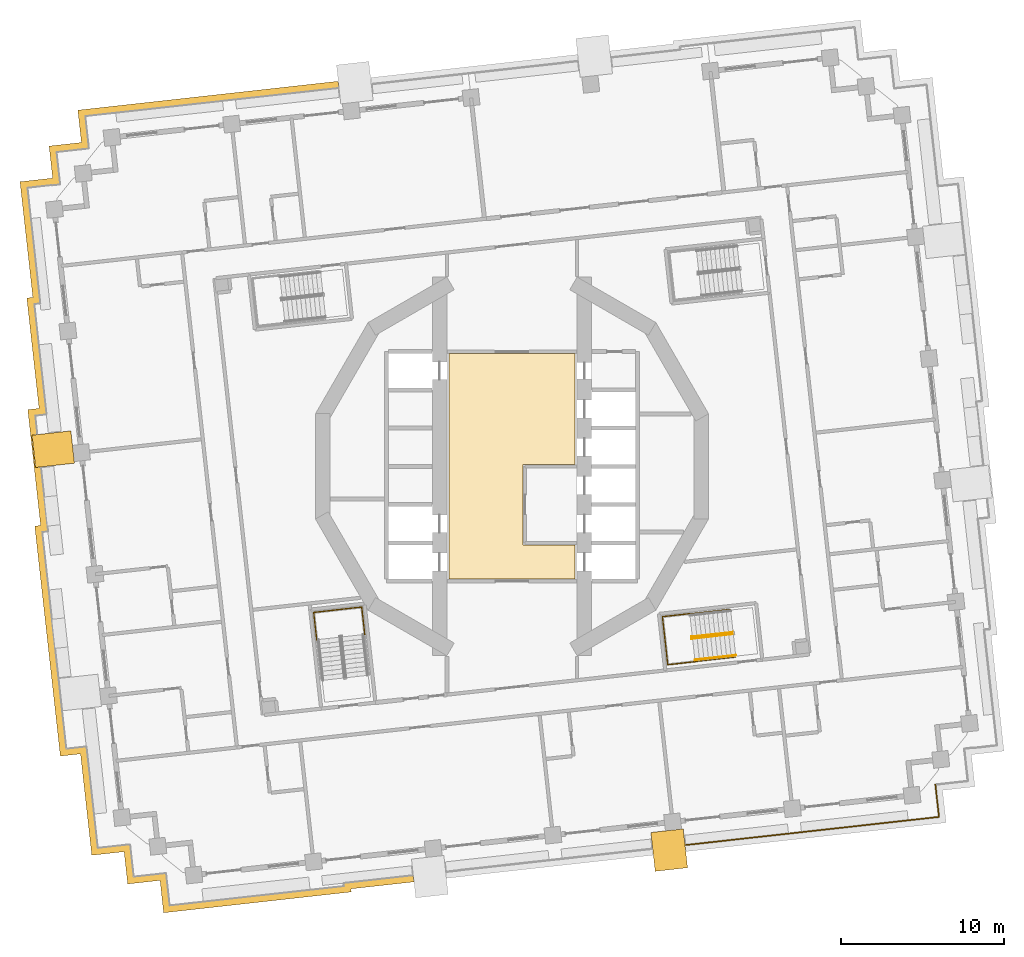
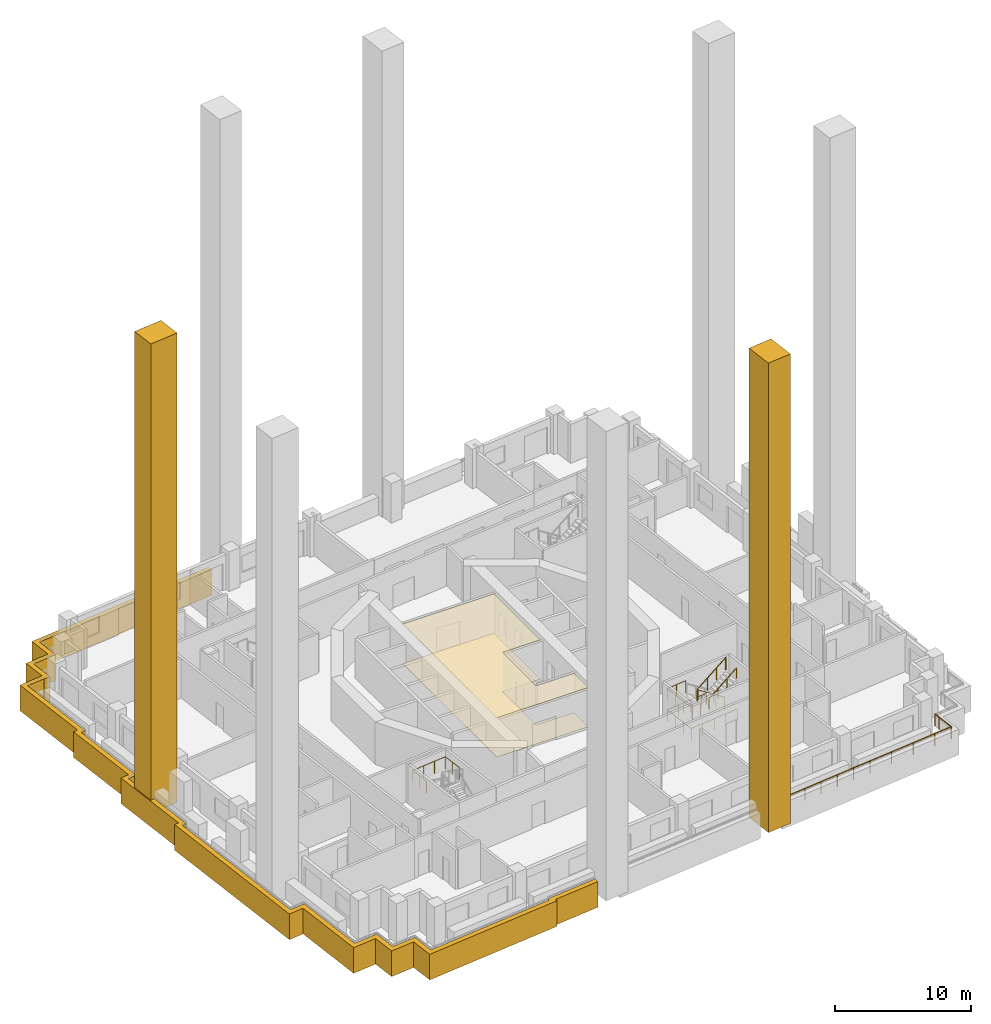
# One storey, part 13 of 20: 7 railings, 5 coverings.
"""IFC4 building model written with IfcOpenShell, lengths in metres."""

from ifc_helpers import new_model, si_unit, direction, frame, origin, origin_2d, place, context, subcontext, project, spatial, polyline, rectangle, circle, outline, extrude, material, layer, layer_set, type_object, element, save


model = new_model("IFC4")

# Units and contexts
model_context = context("Model", 3, precision=1e-05, world=origin(), true_north=direction((0.0, 1.0)))
body_context = subcontext(model_context, "Body", "Model", "MODEL_VIEW")
ifc_project = project(units=[si_unit("LENGTHUNIT", "METRE"), si_unit("AREAUNIT", "SQUARE_METRE"), si_unit("VOLUMEUNIT", "CUBIC_METRE"), si_unit("PLANEANGLEUNIT", "RADIAN"), si_unit("MASSUNIT", "GRAM", prefix="KILO")], contexts=[model_context])

# Site, building, storey
site_placement = place(None, origin())
site = spatial("IfcSite", under=ifc_project, at=site_placement, CompositionType="ELEMENT")
building_placement = place(site_placement, origin())
building = spatial("IfcBuilding", under=site, at=building_placement, Name="Cantera Rosa Tower", CompositionType="ELEMENT")
storey_placement = place(building_placement, frame((0.0, 0.0, 42.5)))
storey = spatial("IfcBuildingStorey", under=building, at=storey_placement, Name="L07", CompositionType="ELEMENT", Elevation=42.5)

# Railings
ifc_material_1 = material(Name="Stainless steel and laminated glass", Category="steel")
railing_type_1 = type_object("IfcRailingType", Name="GUARD 1100", PredefinedType="BALUSTRADE", material=ifc_material_1)
railing_1_placement = place(storey_placement, frame((26.015380859375, -19.549560546875, 0.0)))
element("IfcRailing", 1, at=railing_1_placement, inside=storey, type_object=railing_type_1, Name="GUARD L07-7", PredefinedType="BALUSTRADE", context=body_context, shape_type="SweptSolid", body=[
    extrude(circle(Radius=0.030029296875, at=origin_2d()), frame((0.0, 0.0, 1.070068359375), z_axis=(0.110377921269, -0.9938896893, 0.0), x_axis=(0.9938896893, 0.110377921269, 0.0)), (0.0, 0.0, 1.0), 0.5),
    extrude(circle(Radius=0.030029296875, at=origin_2d()), frame((0.05517578125, -0.496826171875, 1.070068359375), z_axis=(0.110181444005, -0.99391148972, 0.0), x_axis=(0.99391148972, 0.110181444005, 0.0)), (0.0, 0.0, 1.0), 1.5),
    extrude(circle(Radius=0.030029296875, at=origin_2d()), frame((0.220458984375, -1.98779296875, 1.070068359375), z_axis=(-0.993909513469, -0.110199269672, 0.0), x_axis=(0.110199269672, -0.993909513469, 0.0)), (0.0, 0.0, 1.0), 1.499755859375),
    extrude(circle(Radius=0.030029296875, at=origin_2d()), frame((-1.270263671875, -2.153076171875, 1.070068359375), z_axis=(-0.993896343916, -0.1103179838, 0.0), x_axis=(0.1103179838, -0.993896343916, 0.0)), (0.0, 0.0, 1.0), 5.900146484375),
    extrude(circle(Radius=0.030029296875, at=origin_2d()), frame((-7.13427734375, -2.803955078125, 1.070068359375), z_axis=(-0.993892663362, -0.110351138256, 0.0), x_axis=(0.110351138256, -0.993892663362, 0.0)), (0.0, 0.0, 1.0), 3.0),
    extrude(circle(Radius=0.030029296875, at=origin_2d()), frame((-10.115966796875, -3.135009765625, 1.070068359375), z_axis=(-0.993897260817, -0.110309722784, 0.0), x_axis=(0.110309722784, -0.993897260817, 0.0)), (0.0, 0.0, 1.0), 4.39990234375),
    extrude(circle(Radius=0.030029296875, at=origin_2d()), frame((-14.489013671875, -3.620361328125, 1.070068359375), z_axis=(-0.993900832769, -0.110277534522, 0.0), x_axis=(0.110277534522, -0.993900832769, 0.0)), (0.0, 0.0, 1.0), 0.8701171875),
    extrude(circle(Radius=0.02490234375, at=origin_2d()), origin(), (0.0, 0.0, 1.0), 1.0400390625),
    extrude(circle(Radius=0.02490234375, at=origin_2d()), frame((0.05517578125, -0.496826171875, 0.0)), (0.0, 0.0, 1.0), 1.0400390625),
    extrude(circle(Radius=0.02490234375, at=origin_2d()), frame((0.220458984375, -1.98779296875, 0.0)), (0.0, 0.0, 1.0), 1.0400390625),
    extrude(circle(Radius=0.02490234375, at=origin_2d()), frame((-1.270263671875, -2.153076171875, 0.0)), (0.0, 0.0, 1.0), 1.0400390625),
    extrude(circle(Radius=0.02490234375, at=origin_2d()), frame((-3.224853515625, -2.3701171875, 0.0)), (0.0, 0.0, 1.0), 1.0400390625),
    extrude(circle(Radius=0.02490234375, at=origin_2d()), frame((-5.1796875, -2.5869140625, 0.0)), (0.0, 0.0, 1.0), 1.0400390625),
    extrude(circle(Radius=0.02490234375, at=origin_2d()), frame((-7.13427734375, -2.803955078125, 0.0)), (0.0, 0.0, 1.0), 1.0400390625),
    extrude(circle(Radius=0.02490234375, at=origin_2d()), frame((-8.625, -2.969482421875, 0.0)), (0.0, 0.0, 1.0), 1.0400390625),
    extrude(circle(Radius=0.02490234375, at=origin_2d()), frame((-10.115966796875, -3.135009765625, 0.0)), (0.0, 0.0, 1.0), 1.0400390625),
    extrude(circle(Radius=0.02490234375, at=origin_2d()), frame((-11.57373046875, -3.296875, 0.0)), (0.0, 0.0, 1.0), 1.0400390625),
    extrude(circle(Radius=0.02490234375, at=origin_2d()), frame((-13.03125, -3.45849609375, 0.0)), (0.0, 0.0, 1.0), 1.0400390625),
    extrude(circle(Radius=0.02490234375, at=origin_2d()), frame((-14.489013671875, -3.620361328125, 0.0)), (0.0, 0.0, 1.0), 1.0400390625),
    extrude(circle(Radius=0.02490234375, at=origin_2d()), frame((-15.353759765625, -3.71630859375, 0.0)), (0.0, 0.0, 1.0), 1.0400390625),
])
ifc_material_2 = material(Name="Steel S355J2 (EN 10025-2)", Category="steel")
railing_type_2 = type_object("IfcRailingType", Name="STAIR GUARD 1100", PredefinedType="GUARDRAIL", material=ifc_material_2)
railing_2_placement = place(storey_placement, frame((-9.04638671875, -10.3349609375, 1.89990234375)))
element("IfcRailing", 2, at=railing_2_placement, inside=storey, type_object=railing_type_2, Name="L07 ST-13 stair guard 5", PredefinedType="GUARDRAIL", context=body_context, shape_type="SweptSolid", body=[
    extrude(circle(Radius=0.02392578125, at=origin_2d()), frame((0.0, 0.0, 1.076171875), z_axis=(-0.110305577623, 0.993897720867, 0.0), x_axis=(-0.993897720867, -0.110305577623, 0.0)), (0.0, 0.0, 1.0), 1.7021484375),
    extrude(circle(Radius=0.02392578125, at=origin_2d()), frame((-0.187744140625, 1.691650390625, 1.076171875), z_axis=(-0.993896759678, -0.110314237986, 0.0), x_axis=(0.110314237986, -0.993896759678, 0.0)), (0.0, 0.0, 1.0), 2.969970703125),
    extrude(circle(Radius=0.02392578125, at=origin_2d()), frame((-3.1396484375, 1.364013671875, 1.076171875), z_axis=(0.110447269257, -0.993881985305, 0.0), x_axis=(0.993881985305, 0.110447269257, 0.0)), (0.0, 0.0, 1.0), 1.7021484375),
    extrude(circle(Radius=0.02099609375, at=origin_2d()), origin(), (0.0, 0.0, 1.0), 1.052001953125),
    extrude(circle(Radius=0.02099609375, at=origin_2d()), frame((-0.09375, 0.845703125, 0.0)), (0.0, 0.0, 1.0), 1.052001953125),
    extrude(circle(Radius=0.02099609375, at=origin_2d()), frame((-0.187744140625, 1.691650390625, 0.0)), (0.0, 0.0, 1.0), 1.052001953125),
    extrude(circle(Radius=0.02099609375, at=origin_2d()), frame((-1.171630859375, 1.58251953125, 0.0)), (0.0, 0.0, 1.0), 1.052001953125),
    extrude(circle(Radius=0.02099609375, at=origin_2d()), frame((-2.15576171875, 1.47314453125, 0.0)), (0.0, 0.0, 1.0), 1.052001953125),
    extrude(circle(Radius=0.02099609375, at=origin_2d()), frame((-3.1396484375, 1.364013671875, 0.0)), (0.0, 0.0, 1.0), 1.052001953125),
    extrude(circle(Radius=0.02099609375, at=origin_2d()), frame((-3.045654296875, 0.51806640625, 0.0)), (0.0, 0.0, 1.0), 1.052001953125),
    extrude(circle(Radius=0.02099609375, at=origin_2d()), frame((-2.95166015625, -0.32763671875, 0.0)), (0.0, 0.0, 1.0), 1.052001953125),
])
railing_3_placement = place(storey_placement, frame((13.5859375, -10.19677734375, 0.18994140625)))
element("IfcRailing", 3, at=railing_3_placement, inside=storey, type_object=railing_type_2, Name="L07 ST-14 stair guard 1", PredefinedType="GUARDRAIL", context=body_context, shape_type="SweptSolid", body=[
    extrude(circle(Radius=0.02392578125, at=origin_2d()), frame((0.0, 0.0, 1.076171875), z_axis=(-0.822405392514, -0.091316020869, 0.561525382059), x_axis=(0.110357086308, -0.993892002937, 0.0)), (0.0, 0.0, 1.0), 3.045166015625),
    extrude(circle(Radius=0.02392578125, at=origin_2d()), frame((-2.50439453125, -0.278076171875, 2.7861328125), z_axis=(-0.933456941688, 0.358689472963, 0.0), x_axis=(-0.358689472963, -0.933456941688, 0.0)), (0.0, 0.0, 1.0), 0.056396484375),
    extrude(circle(Radius=0.02392578125, at=origin_2d()), frame((-2.55712890625, -0.2578125, 2.7861328125), z_axis=(0.110789159685, -0.993843932464, 0.0), x_axis=(0.993843932464, 0.110789159685, 0.0)), (0.0, 0.0, 1.0), 0.14990234375),
    extrude(circle(Radius=0.02099609375, at=origin_2d()), origin(), (0.0, 0.0, 1.0), 1.052001953125),
    extrude(circle(Radius=0.02099609375, at=origin_2d()), frame((-0.834716796875, -0.0927734375, 0.570068359375)), (0.0, 0.0, 1.0), 1.052001953125),
    extrude(circle(Radius=0.02099609375, at=origin_2d()), frame((-1.669677734375, -0.185302734375, 1.139892578125)), (0.0, 0.0, 1.0), 1.052001953125),
    extrude(circle(Radius=0.02099609375, at=origin_2d()), frame((-2.50439453125, -0.278076171875, 1.7099609375)), (0.0, 0.0, 1.0), 1.052001953125),
    extrude(circle(Radius=0.02099609375, at=origin_2d()), frame((-2.55712890625, -0.2578125, 1.7099609375)), (0.0, 0.0, 1.0), 1.052001953125),
    extrude(circle(Radius=0.02099609375, at=origin_2d()), frame((-2.54052734375, -0.40673828125, 1.7099609375)), (0.0, 0.0, 1.0), 1.052001953125),
])
railing_4_placement = place(storey_placement, frame((11.09228515625, -10.572265625, 2.090087890625)))
element("IfcRailing", 4, at=railing_4_placement, inside=storey, type_object=railing_type_2, Name="L07 ST-14 stair guard 2", PredefinedType="GUARDRAIL", context=body_context, shape_type="SweptSolid", body=[
    extrude(circle(Radius=0.02392578125, at=origin_2d()), frame((0.0, 0.0, 1.076171875), z_axis=(0.822431337597, 0.091310000343, 0.561488360321), x_axis=(-0.110346460196, 0.993893182753, 0.0)), (0.0, 0.0, 1.0), 3.04541015625),
    extrude(circle(Radius=0.02099609375, at=origin_2d()), origin(), (0.0, 0.0, 1.0), 1.052001953125),
    extrude(circle(Radius=0.02099609375, at=origin_2d()), frame((0.8349609375, 0.0927734375, 0.570068359375)), (0.0, 0.0, 1.0), 1.052001953125),
    extrude(circle(Radius=0.02099609375, at=origin_2d()), frame((1.669677734375, 0.185302734375, 1.139892578125)), (0.0, 0.0, 1.0), 1.052001953125),
    extrude(circle(Radius=0.02099609375, at=origin_2d()), frame((2.504638671875, 0.278076171875, 1.7099609375)), (0.0, 0.0, 1.0), 1.052001953125),
])
railing_5_placement = place(storey_placement, frame((13.415771484375, -8.77099609375, 0.0)))
element("IfcRailing", 5, at=railing_5_placement, inside=storey, type_object=railing_type_2, Name="L07 ST-14 stair guard 4", PredefinedType="GUARDRAIL", context=body_context, shape_type="SweptSolid", body=[
    extrude(circle(Radius=0.02392578125, at=origin_2d()), frame((0.0, 0.0, 1.076171875), z_axis=(-0.9938957856, -0.110323013767, 0.0), x_axis=(0.110323013767, -0.9938957856, 0.0)), (0.0, 0.0, 1.0), 4.197998046875),
    extrude(circle(Radius=0.02392578125, at=origin_2d()), frame((-4.17236328125, -0.463134765625, 1.076171875), z_axis=(0.110314237986, -0.993896759678, 0.0), x_axis=(0.993896759678, 0.110314237986, 0.0)), (0.0, 0.0, 1.0), 2.969970703125),
    extrude(circle(Radius=0.02392578125, at=origin_2d()), frame((-3.8447265625, -3.4150390625, 1.076171875), z_axis=(0.9938957856, 0.110323013767, 0.0), x_axis=(-0.110323013767, 0.9938957856, 0.0)), (0.0, 0.0, 1.0), 4.197998046875),
    extrude(circle(Radius=0.02099609375, at=origin_2d()), origin(), (0.0, 0.0, 1.0), 1.052001953125),
    extrude(circle(Radius=0.02099609375, at=origin_2d()), frame((-1.04296875, -0.11572265625, 0.0)), (0.0, 0.0, 1.0), 1.052001953125),
    extrude(circle(Radius=0.02099609375, at=origin_2d()), frame((-2.086181640625, -0.2314453125, 0.0)), (0.0, 0.0, 1.0), 1.052001953125),
    extrude(circle(Radius=0.02099609375, at=origin_2d()), frame((-3.12939453125, -0.347412109375, 0.0)), (0.0, 0.0, 1.0), 1.052001953125),
    extrude(circle(Radius=0.02099609375, at=origin_2d()), frame((-4.17236328125, -0.463134765625, 0.0)), (0.0, 0.0, 1.0), 1.052001953125),
    extrude(circle(Radius=0.02099609375, at=origin_2d()), frame((-4.063232421875, -1.447021484375, 0.0)), (0.0, 0.0, 1.0), 1.052001953125),
    extrude(circle(Radius=0.02099609375, at=origin_2d()), frame((-3.953857421875, -2.43115234375, 0.0)), (0.0, 0.0, 1.0), 1.052001953125),
    extrude(circle(Radius=0.02099609375, at=origin_2d()), frame((-3.8447265625, -3.4150390625, 0.0)), (0.0, 0.0, 1.0), 1.052001953125),
    extrude(circle(Radius=0.02099609375, at=origin_2d()), frame((-2.8017578125, -3.29931640625, 0.0)), (0.0, 0.0, 1.0), 1.052001953125),
    extrude(circle(Radius=0.02099609375, at=origin_2d()), frame((-1.758544921875, -3.18359375, 0.0)), (0.0, 0.0, 1.0), 1.052001953125),
    extrude(circle(Radius=0.02099609375, at=origin_2d()), frame((-0.71533203125, -3.067626953125, 0.0)), (0.0, 0.0, 1.0), 1.052001953125),
    extrude(circle(Radius=0.02099609375, at=origin_2d()), frame((0.32763671875, -2.951904296875, 0.0)), (0.0, 0.0, 1.0), 1.052001953125),
])
railing_6_placement = place(storey_placement, frame((10.93505859375, -9.04638671875, 1.89990234375)))
element("IfcRailing", 6, at=railing_6_placement, inside=storey, type_object=railing_type_2, Name="L07 ST-14 stair guard 5", PredefinedType="GUARDRAIL", context=body_context, shape_type="SweptSolid", body=[
    extrude(circle(Radius=0.02392578125, at=origin_2d()), frame((0.0, 0.0, 1.076171875), z_axis=(-0.993897720867, -0.110305577623, 0.0), x_axis=(0.110305577623, -0.993897720867, 0.0)), (0.0, 0.0, 1.0), 1.7021484375),
    extrude(circle(Radius=0.02392578125, at=origin_2d()), frame((-1.691650390625, -0.187744140625, 1.076171875), z_axis=(0.110314237986, -0.993896759678, 0.0), x_axis=(0.993896759678, 0.110314237986, 0.0)), (0.0, 0.0, 1.0), 2.969970703125),
    extrude(circle(Radius=0.02392578125, at=origin_2d()), frame((-1.364013671875, -3.1396484375, 1.076171875), z_axis=(0.993881985305, 0.110447269257, 0.0), x_axis=(-0.110447269257, 0.993881985305, 0.0)), (0.0, 0.0, 1.0), 1.7021484375),
    extrude(circle(Radius=0.02099609375, at=origin_2d()), origin(), (0.0, 0.0, 1.0), 1.052001953125),
    extrude(circle(Radius=0.02099609375, at=origin_2d()), frame((-0.845703125, -0.09375, 0.0)), (0.0, 0.0, 1.0), 1.052001953125),
    extrude(circle(Radius=0.02099609375, at=origin_2d()), frame((-1.691650390625, -0.187744140625, 0.0)), (0.0, 0.0, 1.0), 1.052001953125),
    extrude(circle(Radius=0.02099609375, at=origin_2d()), frame((-1.58251953125, -1.171630859375, 0.0)), (0.0, 0.0, 1.0), 1.052001953125),
    extrude(circle(Radius=0.02099609375, at=origin_2d()), frame((-1.47314453125, -2.15576171875, 0.0)), (0.0, 0.0, 1.0), 1.052001953125),
    extrude(circle(Radius=0.02099609375, at=origin_2d()), frame((-1.364013671875, -3.1396484375, 0.0)), (0.0, 0.0, 1.0), 1.052001953125),
    extrude(circle(Radius=0.02099609375, at=origin_2d()), frame((-0.51806640625, -3.045654296875, 0.0)), (0.0, 0.0, 1.0), 1.052001953125),
    extrude(circle(Radius=0.02099609375, at=origin_2d()), frame((0.32763671875, -2.95166015625, 0.0)), (0.0, 0.0, 1.0), 1.052001953125),
])
ifc_material_3 = material(Name="Steel S355J2 (EN 10025-2)", Category="steel")
railing_type_3 = type_object("IfcRailingType", Name="STAIR HANDRAIL 900", PredefinedType="HANDRAIL", material=ifc_material_3)
railing_7_placement = place(storey_placement, frame((11.238525390625, -11.89013671875, 2.090087890625)))
element("IfcRailing", 7, at=railing_7_placement, inside=storey, type_object=railing_type_3, Name="L07 ST-14 stair handrail 2", PredefinedType="HANDRAIL", context=body_context, shape_type="SweptSolid", body=[
    extrude(circle(Radius=0.02392578125, at=origin_2d()), frame((0.0, 0.0, 0.8759765625), z_axis=(0.822431337597, 0.091310000343, 0.561488360321), x_axis=(-0.110346460196, 0.993893182753, 0.0)), (0.0, 0.0, 1.0), 3.04541015625),
    extrude(circle(Radius=0.02099609375, at=origin_2d()), origin(), (0.0, 0.0, 1.0), 0.851806640625),
    extrude(circle(Radius=0.02099609375, at=origin_2d()), frame((0.8349609375, 0.0927734375, 0.570068359375)), (0.0, 0.0, 1.0), 0.851806640625),
    extrude(circle(Radius=0.02099609375, at=origin_2d()), frame((1.669677734375, 0.185302734375, 1.139892578125)), (0.0, 0.0, 1.0), 0.851806640625),
    extrude(circle(Radius=0.02099609375, at=origin_2d()), frame((2.504638671875, 0.278076171875, 1.7099609375)), (0.0, 0.0, 1.0), 0.851806640625),
])

# Coverings
ifc_material_4 = material(Name="Cantera stone", Category="masonry")
covering_type_1 = type_object("IfcCoveringType", Name="STONE FIN 2000x2400", PredefinedType="CLADDING", material=ifc_material_4)
for number, where, z_axis, x_axis, name in (
    (8, (9.659912109375, -23.578369140625, -0.300048828125), (0.0, 0.0, 1.0), (0.993896946415, 0.110312555526, 0.0), "STONE FIN FN-Z1-06"),
    (9, (-28.188720703125, 1.056884765625, -0.300048828125), (0.0, 0.0, 1.0), (0.110312555526, -0.993896946415, 0.0), "STONE FIN FN-Z1-07"),
):
    element("IfcCovering", number, at=place(storey_placement, frame(where, z_axis=z_axis, x_axis=x_axis)), inside=storey, type_object=covering_type_1, Name=name, PredefinedType="CLADDING", context=body_context, shape_type="SweptSolid", body=[
        extrude(rectangle(XDim=2.0, YDim=2.39990234375, at=origin_2d()), origin(), (0.0, 0.0, 1.0), 42.10009765625),
    ])
ifc_material_5 = material(Name="Limestone paving", Category="masonry")
ifc_layer_1 = layer(ifc_material_5, 0.02490234375)
ifc_layer_set_1 = layer_set([ifc_layer_1], Name="STONE FLOOR FINISH 25")
covering_type_2 = type_object("IfcCoveringType", Name="STONE FLOOR FINISH 25", PredefinedType="FLOORING", material=ifc_layer_set_1)
covering_1_placement = place(storey_placement, origin())
element("IfcCovering", 10, at=covering_1_placement, inside=storey, type_object=covering_type_2, Name="STONE FLOOR FINISH L07", PredefinedType="FLOORING", context=body_context, shape_type="SweptSolid", body=[
    extrude(outline(polyline([(3.8798828125, 6.929931640625), (3.8798828125, 0.1201171875), (0.679931640625, 0.1201171875), (0.679931640625, -4.820068359375), (3.8798828125, -4.820068359375), (3.8798828125, -6.929931640625), (-3.8798828125, -6.929931640625), (-3.8798828125, 6.929931640625), (3.8798828125, 6.929931640625)])), origin(), (0.0, 0.0, 1.0), 0.02490234375),
])
ifc_material_6 = material(Name="Gypsum ceiling tile")
ifc_layer_2 = layer(ifc_material_6, 0.030029296875)
ifc_layer_set_2 = layer_set([ifc_layer_2], Name="SUSPENDED CEILING 30")
covering_type_3 = type_object("IfcCoveringType", Name="SUSPENDED CEILING 30", PredefinedType="CEILING", material=ifc_layer_set_2)
covering_2_placement = place(storey_placement, frame((0.0, 0.0, 3.52001953125)))
element("IfcCovering", 11, at=covering_2_placement, inside=storey, type_object=covering_type_3, Name="SUSPENDED CEILING L07", PredefinedType="CEILING", context=body_context, shape_type="SweptSolid", body=[
    extrude(outline(polyline([(3.8798828125, 6.929931640625), (3.8798828125, 0.1201171875), (0.679931640625, 0.1201171875), (0.679931640625, -4.820068359375), (3.8798828125, -4.820068359375), (3.8798828125, -6.929931640625), (-3.8798828125, -6.929931640625), (-3.8798828125, 6.929931640625), (3.8798828125, 6.929931640625)])), origin(), (0.0, 0.0, 1.0), 0.030029296875),
])
ifc_material_7 = material(Name="Cantera stone", Category="masonry")
covering_type_4 = type_object("IfcCoveringType", Name="TRAY FASCIA 400", PredefinedType="CLADDING", material=ifc_material_7)
covering_3_placement = place(storey_placement, frame((0.0, 0.0, -1.39990234375)))
element("IfcCovering", 12, at=covering_3_placement, inside=storey, type_object=covering_type_4, Name="TRAY FASCIA L07-01", PredefinedType="CLADDING", context=body_context, shape_type="SweptSolid", body=[
    extrude(outline(polyline([(-28.22607421875, 17.711669921875), (-28.235107421875, 17.7939453125), (-28.44482421875, 19.682373046875), (-26.556396484375, 19.891845703125), (-26.45703125, 19.90283203125), (-26.468017578125, 20.002197265625), (-26.677734375, 21.890625), (-24.789306640625, 22.100341796875), (-18.92529296875, 22.751220703125), (-15.943603515625, 23.08203125), (-11.5703125, 23.5673828125), (-10.685791015625, 23.665771484375), (-10.6416015625, 23.26806640625), (-11.5263671875, 23.169921875), (-15.8994140625, 22.6845703125), (-18.881103515625, 22.353515625), (-24.7451171875, 21.70263671875), (-26.23583984375, 21.537353515625), (-26.070556640625, 20.04638671875), (-26.015380859375, 19.549560546875), (-26.51220703125, 19.494384765625), (-28.003173828125, 19.328857421875), (-27.837646484375, 17.838134765625), (-27.782470703125, 17.341064453125), (-28.279541015625, 17.285888671875), (-28.28125, 17.302978515625), (-29.789306640625, 17.1357421875), (-29.000732421875, 10.030517578125), (-29.36962890625, 9.98974609375), (-28.6171875, 3.210205078125), (-29.31201171875, 3.133056640625), (-29.18212890625, 1.962890625), (-29.49267578125, 1.928466796875), (-29.49365234375, 1.92822265625), (-29.49462890625, 1.927978515625), (-29.49560546875, 1.927490234375), (-29.496337890625, 1.92724609375), (-29.497314453125, 1.9267578125), (-29.498046875, 1.926025390625), (-29.498779296875, 1.92529296875), (-29.49951171875, 1.924560546875), (-29.5, 1.923828125), (-29.50048828125, 1.923095703125), (-29.5009765625, 1.922119140625), (-29.501220703125, 1.921142578125), (-29.50146484375, 1.920166015625), (-29.50146484375, 1.919189453125), (-29.501708984375, 1.918212890625), (-29.50146484375, 1.917236328125), (-29.281005859375, -0.070556640625), (-29.28076171875, -0.071533203125), (-29.280517578125, -0.072509765625), (-29.2802734375, -0.0732421875), (-29.27978515625, -0.07421875), (-29.279296875, -0.074951171875), (-29.278564453125, -0.075927734375), (-29.278076171875, -0.07666015625), (-29.27734375, -0.0771484375), (-29.2763671875, -0.077880859375), (-29.275634765625, -0.078369140625), (-29.274658203125, -0.07861328125), (-29.273681640625, -0.0791015625), (-29.272705078125, -0.0791015625), (-29.271728515625, -0.079345703125), (-29.270751953125, -0.079345703125), (-29.269775390625, -0.079345703125), (-28.959228515625, -0.044921875), (-28.5224609375, -3.981201171875), (-28.882080078125, -4.021240234375), (-27.40185546875, -17.358154296875), (-26.16015625, -17.22021484375), (-25.65576171875, -21.762939453125), (-25.46826171875, -23.45263671875), (-23.77880859375, -23.26513671875), (-23.48046875, -23.23193359375), (-23.447509765625, -23.5302734375), (-23.260009765625, -25.2197265625), (-21.5703125, -25.0322265625), (-21.272216796875, -24.999267578125), (-21.239013671875, -25.29736328125), (-21.051513671875, -26.987060546875), (-19.36181640625, -26.79931640625), (-10.3173828125, -25.795654296875), (-10.33837890625, -25.606689453125), (-6.074462890625, -25.13330078125), (-6.030517578125, -25.531005859375), (-9.896728515625, -25.9599609375), (-9.875732421875, -26.14892578125), (-19.317626953125, -27.197021484375), (-21.405029296875, -27.4287109375), (-21.62548828125, -25.44091796875), (-23.61328125, -25.661376953125), (-23.833984375, -23.673583984375), (-25.82177734375, -23.894287109375), (-26.053466796875, -21.80712890625), (-26.513427734375, -17.661865234375), (-27.755126953125, -17.7998046875), (-29.32373046875, -3.667724609375), (-28.964111328125, -3.6279296875), (-29.753662109375, 3.486572265625), (-29.05908203125, 3.563720703125), (-29.8115234375, 10.343017578125), (-29.4423828125, 10.384033203125), (-30.23095703125, 17.489013671875), (-28.22607421875, 17.711669921875)])), origin(), (0.0, 0.0, 1.0), 2.2998046875),
])

save(model, "model.ifc")
